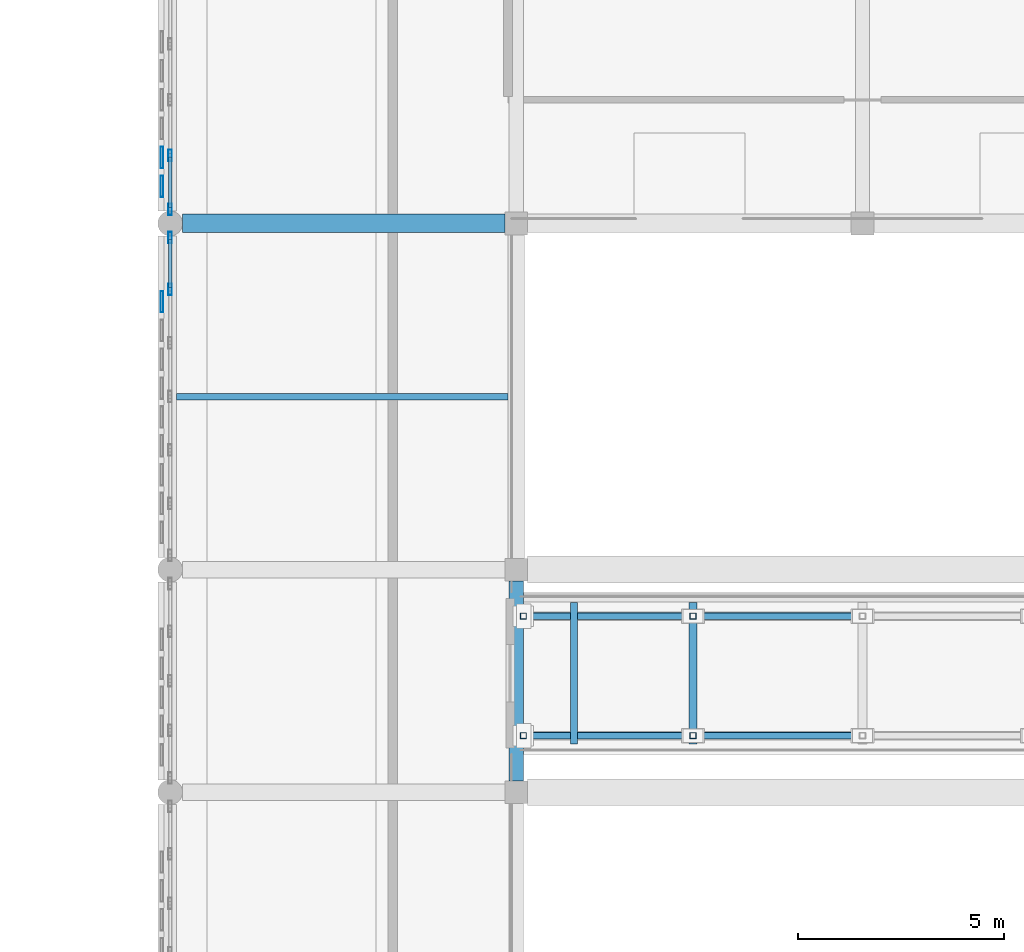
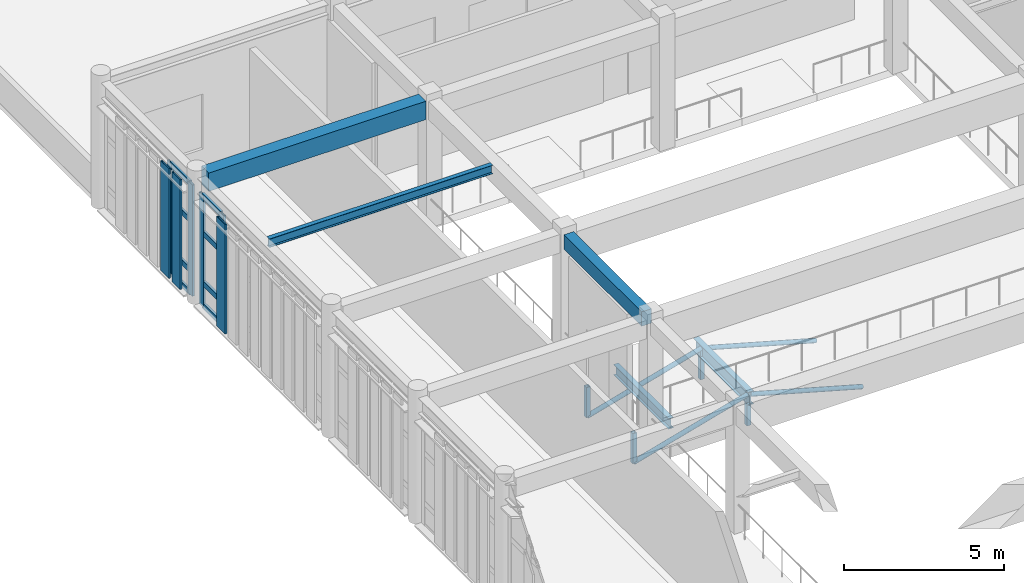
# One storey, part 26 of 77: 23 members, 5 beams, 2 elements without a shape of their own.
"""IFC4 building model written with IfcOpenShell, lengths in metres."""

from ifc_helpers import new_model, si_unit, direction, frame, origin, origin_2d, place, context, subcontext, project, spatial, rectangle, hollow_rectangle, hollow_circle, i_section, extrude, material, layer, layer_set, material_profile, profile_set, type_object, element, aggregate, save


model = new_model("IFC4")

# Units and contexts
model_context = context("Model", 3, precision=1e-05, world=origin(), true_north=direction((0.0, 1.0)))
body_context = subcontext(model_context, "Body", "Model", "MODEL_VIEW")
ifc_project = project(units=[si_unit("LENGTHUNIT", "METRE"), si_unit("AREAUNIT", "SQUARE_METRE"), si_unit("VOLUMEUNIT", "CUBIC_METRE"), si_unit("PLANEANGLEUNIT", "RADIAN"), si_unit("MASSUNIT", "GRAM", prefix="KILO")], contexts=[model_context])

# Site, building, storey
site_placement = place(None, origin())
site = spatial("IfcSite", under=ifc_project, at=site_placement, CompositionType="ELEMENT")
building_placement = place(site_placement, origin())
building = spatial("IfcBuilding", under=site, at=building_placement, Name="Krzemoval Escarpment Law Courts", CompositionType="ELEMENT")
storey_placement = place(building_placement, frame((0.0, 0.0, 15.300048828125)))
storey = spatial("IfcBuildingStorey", under=building, at=storey_placement, Name="L03", CompositionType="ELEMENT", Elevation=15.300048828125)

# Beams
ifc_material_1 = material(Name="Concrete C40/50", Category="concrete")
ifc_material_profile_1 = material_profile(ifc_material_1, rectangle(XDim=0.35009765625, YDim=0.550048828125, at=origin_2d()), Name="RCB 350x550")
ifc_profile_set_1 = profile_set([ifc_material_profile_1], Name="Concrete C40/50")
beam_type_1 = type_object("IfcBeamType", Name="BM-RC-350x550", PredefinedType="BEAM", material=ifc_profile_set_1)
beam_1_placement = place(storey_placement, frame((16.800048828125, 80.074951171875, 4.56494140625), z_axis=(0.0, 1.0, 0.0), x_axis=(-1.0, 0.0, 0.0)))
element("IfcBeam", 1, at=beam_1_placement, inside=storey, type_object=beam_type_1, Name="Beam FG-L03-2237", PredefinedType="BEAM", context=body_context, shape_type="SweptSolid", body=[
    extrude(rectangle(XDim=0.35009765625, YDim=0.550048828125, at=origin_2d()), origin(), (0.0, 0.0, 1.0), 4.85009765625),
])
ifc_material_2 = material(Name="Concrete C40/50", Category="concrete")
ifc_material_profile_2 = material_profile(ifc_material_2, rectangle(XDim=0.449951171875, YDim=0.699951171875, at=origin_2d()), Name="RCB 450x700")
ifc_profile_set_2 = profile_set([ifc_material_profile_2], Name="Concrete C40/50")
beam_type_2 = type_object("IfcBeamType", Name="BM-RC-450x700", PredefinedType="BEAM", material=ifc_profile_set_2)
beam_2_placement = place(storey_placement, frame((8.699951171875, 93.60009765625, 4.489990234375), z_axis=(1.0, 0.0, 0.0), x_axis=(0.0, 1.0, 0.0)))
element("IfcBeam", 2, at=beam_2_placement, inside=storey, type_object=beam_type_2, Name="Beam FG-L03-2178", PredefinedType="BEAM", context=body_context, shape_type="SweptSolid", body=[
    extrude(rectangle(XDim=0.449951171875, YDim=0.699951171875, at=origin_2d()), origin(), (0.0, 0.0, 1.0), 7.824951171875),
])
ifc_material_3 = material(Name="Steel S355", Category="steel")
ifc_material_profile_3 = material_profile(ifc_material_3, i_section(OverallWidth=0.179931640625, OverallDepth=0.39990234375, WebThickness=0.008544921875, FlangeThickness=0.013427734375, at=origin_2d()), Name="IPE 400")
ifc_profile_set_3 = profile_set([ifc_material_profile_3], Name="Steel S355")
beam_type_3 = type_object("IfcBeamType", Name="BM-S355-IPE400", PredefinedType="BEAM", material=ifc_profile_set_3)
beam_3_placement = place(storey_placement, frame((18.199951171875, 80.969970703125, -0.5), z_axis=(0.0, 1.0, 0.0), x_axis=(-1.0, 0.0, 0.0)))
element("IfcBeam", 3, at=beam_3_placement, inside=storey, type_object=beam_type_3, Name="Bridge Cross Beam BBMN-L03-01", PredefinedType="BEAM", context=body_context, shape_type="SweptSolid", body=[
    extrude(i_section(OverallWidth=0.179931640625, OverallDepth=0.39990234375, WebThickness=0.008544921875, FlangeThickness=0.013427734375, at=origin_2d()), origin(), (0.0, 0.0, 1.0), 3.429931640625),
])
ifc_material_4 = material(Name="Steel S355", Category="steel")
ifc_material_profile_4 = material_profile(ifc_material_4, i_section(OverallWidth=0.199951171875, OverallDepth=0.5, WebThickness=0.01025390625, FlangeThickness=0.01611328125, at=origin_2d()), Name="IPE 500")
ifc_profile_set_4 = profile_set([ifc_material_profile_4], Name="Steel S355")
beam_type_4 = type_object("IfcBeamType", Name="BM-S355-IPE500", PredefinedType="BEAM", material=ifc_profile_set_4)
beam_4_placement = place(storey_placement, frame((21.0849609375, 80.969970703125, -0.550048828125), z_axis=(0.0, 1.0, 0.0), x_axis=(-1.0, 0.0, 0.0)))
element("IfcBeam", 4, at=beam_4_placement, inside=storey, type_object=beam_type_4, Name="Bridge Cross Beam BBMN-L03-02", PredefinedType="BEAM", context=body_context, shape_type="SweptSolid", body=[
    extrude(i_section(OverallWidth=0.199951171875, OverallDepth=0.5, WebThickness=0.01025390625, FlangeThickness=0.01611328125, at=origin_2d()), origin(), (0.0, 0.0, 1.0), 3.429931640625),
])

# Curtain wall, members
ifc_material_5 = material(Name="Aluminium 6063-T6", Category="aluminium")
ifc_layer = layer(ifc_material_5, 0.280029296875)
ifc_layer_set = layer_set([ifc_layer], Name="Aluminium 6063-T6")
curtain_wall_type = type_object("IfcCurtainWallType", Name="CW-HALL-5100", PredefinedType="USERDEFINED", material=ifc_layer_set)
curtain_wall_1_placement = place(storey_placement, origin())
curtain_wall_1 = element("IfcCurtainWall", 5, at=curtain_wall_1_placement, inside=storey, type_object=curtain_wall_type, Name="Unitised Curtain Wall FCW-L03-103", ObjectType="UNITISED_CURTAIN_WALL", PredefinedType="USERDEFINED")
ifc_material_6 = material(Name="Aluminium 6063-T6", Category="aluminium")
ifc_material_profile_5 = material_profile(ifc_material_6, hollow_rectangle(XDim=0.0849609375, YDim=0.280029296875, WallThickness=0.005615234375, at=origin_2d()), Name="ALU M85x280")
ifc_profile_set_5 = profile_set([ifc_material_profile_5], Name="Aluminium 6063-T6")
member_type_1 = type_object("IfcMemberType", Name="CWM-85x280", PredefinedType="MULLION", material=ifc_profile_set_5)
member_1_placement = place(storey_placement, frame((8.39990234375, 92.0, 0.0), z_axis=(0.0, 0.0, 1.0), x_axis=(-1.0, 0.0, 0.0)))
member_1 = element("IfcMember", 6, at=member_1_placement, type_object=member_type_1, Name="FCW-L03-103 mullion 6", PredefinedType="MULLION", context=body_context, shape_type="SweptSolid", body=[
    extrude(hollow_rectangle(XDim=0.0849609375, YDim=0.280029296875, WallThickness=0.005615234375, at=origin_2d()), origin(), (0.0, 0.0, 1.0), 4.239990234375),
])
member_2_placement = place(storey_placement, frame((8.39990234375, 93.257568359375, 0.0), z_axis=(0.0, 0.0, 1.0), x_axis=(-1.0, 0.0, 0.0)))
member_2 = element("IfcMember", 7, at=member_2_placement, type_object=member_type_1, Name="FCW-L03-103 mullion 7", PredefinedType="MULLION", context=body_context, shape_type="SweptSolid", body=[
    extrude(hollow_rectangle(XDim=0.0849609375, YDim=0.280029296875, WallThickness=0.005615234375, at=origin_2d()), origin(), (0.0, 0.0, 1.0), 4.239990234375),
])

curtain_wall_2_placement = place(storey_placement, origin())
curtain_wall_2 = element("IfcCurtainWall", 8, at=curtain_wall_2_placement, inside=storey, type_object=curtain_wall_type, Name="Unitised Curtain Wall FCW-L03-104", ObjectType="UNITISED_CURTAIN_WALL", PredefinedType="USERDEFINED")
member_3_placement = place(storey_placement, frame((8.39990234375, 93.9423828125, 0.0), z_axis=(0.0, 0.0, 1.0), x_axis=(-1.0, 0.0, 0.0)))
member_3 = element("IfcMember", 9, at=member_3_placement, type_object=member_type_1, Name="FCW-L03-104 mullion 1", PredefinedType="MULLION", context=body_context, shape_type="SweptSolid", body=[
    extrude(hollow_rectangle(XDim=0.0849609375, YDim=0.280029296875, WallThickness=0.005615234375, at=origin_2d()), origin(), (0.0, 0.0, 1.0), 4.239990234375),
])
member_4_placement = place(storey_placement, frame((8.39990234375, 95.25, 0.0), z_axis=(0.0, 0.0, 1.0), x_axis=(-1.0, 0.0, 0.0)))
member_4 = element("IfcMember", 10, at=member_4_placement, type_object=member_type_1, Name="FCW-L03-104 mullion 2", PredefinedType="MULLION", context=body_context, shape_type="SweptSolid", body=[
    extrude(hollow_rectangle(XDim=0.0849609375, YDim=0.280029296875, WallThickness=0.005615234375, at=origin_2d()), origin(), (0.0, 0.0, 1.0), 4.239990234375),
])

# Member
ifc_material_7 = material(Name="Aluminium 6063-T6", Category="aluminium")
ifc_material_profile_6 = material_profile(ifc_material_7, hollow_rectangle(XDim=0.0849609375, YDim=0.2099609375, WallThickness=0.005615234375, at=origin_2d()), Name="ALU T85x210")
ifc_profile_set_6 = profile_set([ifc_material_profile_6], Name="Aluminium 6063-T6")
member_type_2 = type_object("IfcMemberType", Name="CWT-85x210", PredefinedType="USERDEFINED", material=ifc_profile_set_6)
member_5_placement = place(storey_placement, frame((8.39990234375, 92.04248046875, 0.04248046875), z_axis=(0.0, 1.0, 0.0), x_axis=(-1.0, 0.0, 0.0)))
member_5 = element("IfcMember", 11, at=member_5_placement, type_object=member_type_2, Name="FCW-L03-103 transom 6.1", ObjectType="TRANSOM", PredefinedType="USERDEFINED", context=body_context, shape_type="SweptSolid", body=[
    extrude(hollow_rectangle(XDim=0.0849609375, YDim=0.2099609375, WallThickness=0.005615234375, at=origin_2d()), origin(), (0.0, 0.0, 1.0), 1.172607421875),
])

member_6_placement = place(storey_placement, frame((8.39990234375, 92.04248046875, 0.89990234375), z_axis=(0.0, 1.0, 0.0), x_axis=(-1.0, 0.0, 0.0)))
member_6 = element("IfcMember", 12, at=member_6_placement, type_object=member_type_2, Name="FCW-L03-103 transom 6.2", ObjectType="TRANSOM", PredefinedType="USERDEFINED", context=body_context, shape_type="SweptSolid", body=[
    extrude(hollow_rectangle(XDim=0.0849609375, YDim=0.2099609375, WallThickness=0.005615234375, at=origin_2d()), origin(), (0.0, 0.0, 1.0), 1.172607421875),
])

member_7_placement = place(storey_placement, frame((8.39990234375, 92.04248046875, 2.800048828125), z_axis=(0.0, 1.0, 0.0), x_axis=(-1.0, 0.0, 0.0)))
member_7 = element("IfcMember", 13, at=member_7_placement, type_object=member_type_2, Name="FCW-L03-103 transom 6.3", ObjectType="TRANSOM", PredefinedType="USERDEFINED", context=body_context, shape_type="SweptSolid", body=[
    extrude(hollow_rectangle(XDim=0.0849609375, YDim=0.2099609375, WallThickness=0.005615234375, at=origin_2d()), origin(), (0.0, 0.0, 1.0), 1.172607421875),
])

member_8_placement = place(storey_placement, frame((8.39990234375, 92.04248046875, 4.197509765625), z_axis=(0.0, 1.0, 0.0), x_axis=(-1.0, 0.0, 0.0)))
member_8 = element("IfcMember", 14, at=member_8_placement, type_object=member_type_2, Name="FCW-L03-103 transom 6.4", ObjectType="TRANSOM", PredefinedType="USERDEFINED", context=body_context, shape_type="SweptSolid", body=[
    extrude(hollow_rectangle(XDim=0.0849609375, YDim=0.2099609375, WallThickness=0.005615234375, at=origin_2d()), origin(), (0.0, 0.0, 1.0), 1.172607421875),
])

aggregate(curtain_wall_1, [member_1, member_2, member_5, member_6, member_7, member_8])

member_9_placement = place(storey_placement, frame((8.39990234375, 93.985107421875, 0.04248046875), z_axis=(0.0, 1.0, 0.0), x_axis=(-1.0, 0.0, 0.0)))
member_9 = element("IfcMember", 15, at=member_9_placement, type_object=member_type_2, Name="FCW-L03-104 transom 1.1", ObjectType="TRANSOM", PredefinedType="USERDEFINED", context=body_context, shape_type="SweptSolid", body=[
    extrude(hollow_rectangle(XDim=0.0849609375, YDim=0.2099609375, WallThickness=0.005615234375, at=origin_2d()), origin(), (0.0, 0.0, 1.0), 1.222412109375),
])

member_10_placement = place(storey_placement, frame((8.39990234375, 93.985107421875, 0.89990234375), z_axis=(0.0, 1.0, 0.0), x_axis=(-1.0, 0.0, 0.0)))
member_10 = element("IfcMember", 16, at=member_10_placement, type_object=member_type_2, Name="FCW-L03-104 transom 1.2", ObjectType="TRANSOM", PredefinedType="USERDEFINED", context=body_context, shape_type="SweptSolid", body=[
    extrude(hollow_rectangle(XDim=0.0849609375, YDim=0.2099609375, WallThickness=0.005615234375, at=origin_2d()), origin(), (0.0, 0.0, 1.0), 1.222412109375),
])

member_11_placement = place(storey_placement, frame((8.39990234375, 93.985107421875, 2.800048828125), z_axis=(0.0, 1.0, 0.0), x_axis=(-1.0, 0.0, 0.0)))
member_11 = element("IfcMember", 17, at=member_11_placement, type_object=member_type_2, Name="FCW-L03-104 transom 1.3", ObjectType="TRANSOM", PredefinedType="USERDEFINED", context=body_context, shape_type="SweptSolid", body=[
    extrude(hollow_rectangle(XDim=0.0849609375, YDim=0.2099609375, WallThickness=0.005615234375, at=origin_2d()), origin(), (0.0, 0.0, 1.0), 1.222412109375),
])

member_12_placement = place(storey_placement, frame((8.39990234375, 93.985107421875, 4.197509765625), z_axis=(0.0, 1.0, 0.0), x_axis=(-1.0, 0.0, 0.0)))
member_12 = element("IfcMember", 18, at=member_12_placement, type_object=member_type_2, Name="FCW-L03-104 transom 1.4", ObjectType="TRANSOM", PredefinedType="USERDEFINED", context=body_context, shape_type="SweptSolid", body=[
    extrude(hollow_rectangle(XDim=0.0849609375, YDim=0.2099609375, WallThickness=0.005615234375, at=origin_2d()), origin(), (0.0, 0.0, 1.0), 1.222412109375),
])

aggregate(curtain_wall_2, [member_3, member_4, member_9, member_10, member_11, member_12])

# Beam
ifc_material_8 = material(Name="Steel S355", Category="steel")
ifc_material_profile_7 = material_profile(ifc_material_8, i_section(OverallWidth=0.159912109375, OverallDepth=0.330078125, WebThickness=0.007568359375, FlangeThickness=0.011474609375, at=origin_2d()), Name="IPE 330")
ifc_profile_set_7 = profile_set([ifc_material_profile_7], Name="Steel S355")
beam_type_5 = type_object("IfcBeamType", Name="JST-S355-IPE330", PredefinedType="JOIST", material=ifc_profile_set_7)
beam_5_placement = place(storey_placement, frame((8.550048828125, 89.39990234375, 4.675048828125), z_axis=(1.0, 0.0, 0.0), x_axis=(0.0, 1.0, 0.0)))
element("IfcBeam", 19, at=beam_5_placement, inside=storey, type_object=beam_type_5, Name="Secondary Joist FJ-L03-2366", PredefinedType="JOIST", context=body_context, shape_type="SweptSolid", body=[
    extrude(i_section(OverallWidth=0.159912109375, OverallDepth=0.330078125, WebThickness=0.007568359375, FlangeThickness=0.011474609375, at=origin_2d()), origin(), (0.0, 0.0, 1.0), 8.050048828125),
])

# Members
ifc_material_9 = material(Name="Anodised Aluminium Alloy 6063-T6", Category="aluminium")
ifc_material_profile_8 = material_profile(ifc_material_9, hollow_rectangle(XDim=0.06494140625, YDim=0.52001953125, WallThickness=0.00439453125, at=origin_2d()), Name="ALU LVR 65x520")
ifc_profile_set_8 = profile_set([ifc_material_profile_8], Name="Anodised Aluminium Alloy 6063-T6")
member_type_3 = type_object("IfcMemberType", Name="LVR-ALU-520", PredefinedType="USERDEFINED", material=ifc_profile_set_8)
for number, where, z_axis, x_axis, name in (
    (20, (8.199951171875, 91.699951171875, 0.06005859375), (0.0, 0.0, 1.0), (1.0, 0.0, 0.0), "Sunshade Louvre Fin FLV-L03-0681"),
    (21, (8.199951171875, 94.5, 0.06005859375), (0.0, 0.0, 1.0), (1.0, 0.0, 0.0), "Sunshade Louvre Fin FLV-L03-0684"),
    (22, (8.199951171875, 95.199951171875, 0.06005859375), (0.0, 0.0, 1.0), (1.0, 0.0, 0.0), "Sunshade Louvre Fin FLV-L03-0685"),
):
    element("IfcMember", number, at=place(storey_placement, frame(where, z_axis=z_axis, x_axis=x_axis)), inside=storey, type_object=member_type_3, Name=name, ObjectType="SUNSHADE_LOUVRE", PredefinedType="USERDEFINED", context=body_context, shape_type="SweptSolid", body=[
        extrude(hollow_rectangle(XDim=0.06494140625, YDim=0.52001953125, WallThickness=0.00439453125, at=origin_2d()), origin(), (0.0, 0.0, 1.0), 4.179931640625),
    ])
ifc_material_10 = material(Name="Steel S355", Category="steel")
ifc_material_profile_9 = material_profile(ifc_material_10, hollow_circle(Radius=0.084228515625, WallThickness=0.008056640625, at=origin_2d()), Name="CHS 168.3x8")
ifc_profile_set_9 = profile_set([ifc_material_profile_9], Name="Steel S355")
member_type_4 = type_object("IfcMemberType", Name="MBR-BRC-CHS168", PredefinedType="BRACE", material=ifc_profile_set_9)
for number, where, z_axis, x_axis, name in (
    (23, (16.969970703125, 81.169921875, -1.670166015625), (0.963088538909, 0.0, 0.269184817965), (0.0, 1.0, 0.0), "Bridge Truss Diagonal BBR-0207"),
    (24, (21.0849609375, 81.169921875, -0.52001953125), (0.963088538909, 0.0, -0.269184817965), (0.0, 1.0, 0.0), "Bridge Truss Diagonal BBR-0208"),
    (25, (16.969970703125, 84.070068359375, -1.670166015625), (0.963088538909, 0.0, 0.269184817965), (0.0, 1.0, 0.0), "Bridge Truss Diagonal BBR-0218"),
    (26, (21.0849609375, 84.070068359375, -0.52001953125), (0.963088538909, 0.0, -0.269184817965), (0.0, 1.0, 0.0), "Bridge Truss Diagonal BBR-0219"),
):
    element("IfcMember", number, at=place(storey_placement, frame(where, z_axis=z_axis, x_axis=x_axis)), inside=storey, type_object=member_type_4, Name=name, PredefinedType="BRACE", context=body_context, shape_type="SweptSolid", body=[
        extrude(hollow_circle(Radius=0.084228515625, WallThickness=0.008056640625, at=origin_2d()), origin(), (0.0, 0.0, 1.0), 4.272705078125),
    ])
ifc_material_11 = material(Name="Steel S355", Category="steel")
ifc_material_profile_10 = material_profile(ifc_material_11, hollow_rectangle(XDim=0.14990234375, YDim=0.14990234375, WallThickness=0.008056640625, at=origin_2d()), Name="SHS 150x150x8")
ifc_profile_set_10 = profile_set([ifc_material_profile_10], Name="Steel S355")
member_type_5 = type_object("IfcMemberType", Name="MBR-STR-SHS150", PredefinedType="STRUT", material=ifc_profile_set_10)
for number, where, z_axis, x_axis, name in (
    (27, (16.969970703125, 81.169921875, -1.670166015625), (0.0, 0.0, 1.0), (1.0, 0.0, 0.0), "Bridge Truss Strut BST-0211"),
    (28, (21.0849609375, 81.169921875, -1.670166015625), (0.0, 0.0, 1.0), (1.0, 0.0, 0.0), "Bridge Truss Strut BST-0212"),
    (29, (16.969970703125, 84.070068359375, -1.670166015625), (0.0, 0.0, 1.0), (1.0, 0.0, 0.0), "Bridge Truss Strut BST-0222"),
    (30, (21.0849609375, 84.070068359375, -1.670166015625), (0.0, 0.0, 1.0), (1.0, 0.0, 0.0), "Bridge Truss Strut BST-0223"),
):
    element("IfcMember", number, at=place(storey_placement, frame(where, z_axis=z_axis, x_axis=x_axis)), inside=storey, type_object=member_type_5, Name=name, PredefinedType="STRUT", context=body_context, shape_type="SweptSolid", body=[
        extrude(hollow_rectangle(XDim=0.14990234375, YDim=0.14990234375, WallThickness=0.008056640625, at=origin_2d()), origin(), (0.0, 0.0, 1.0), 1.150146484375),
    ])

save(model, "model.ifc")
